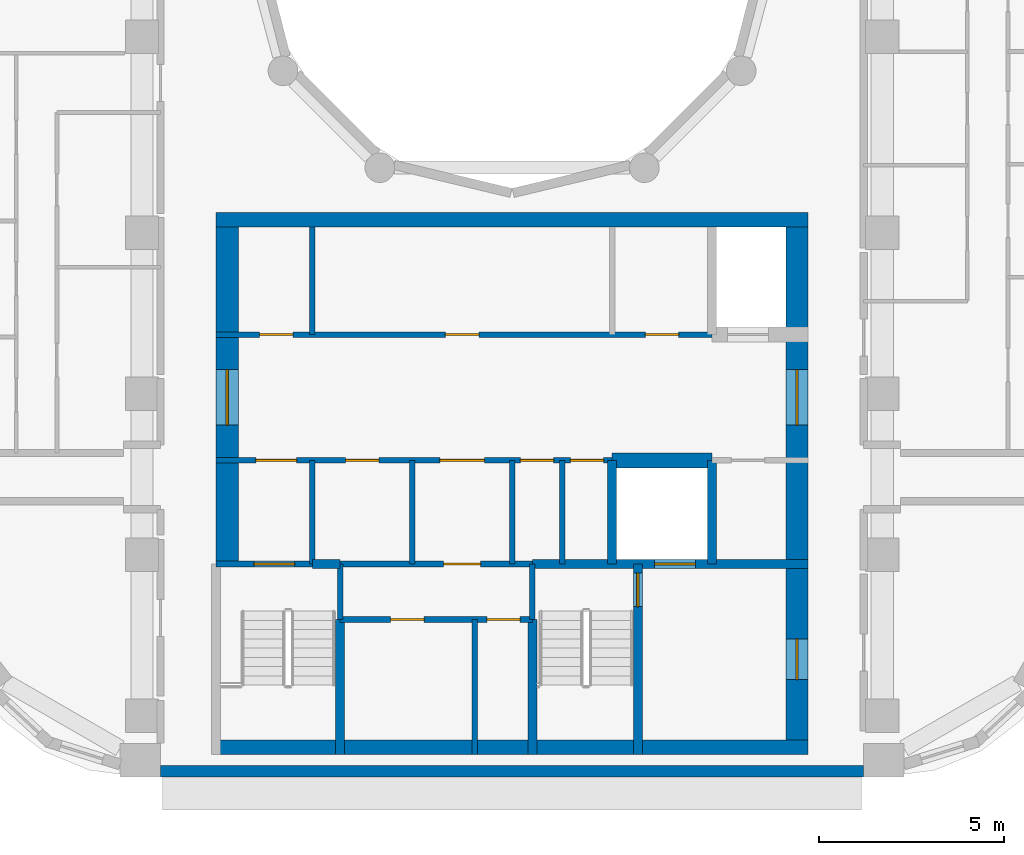
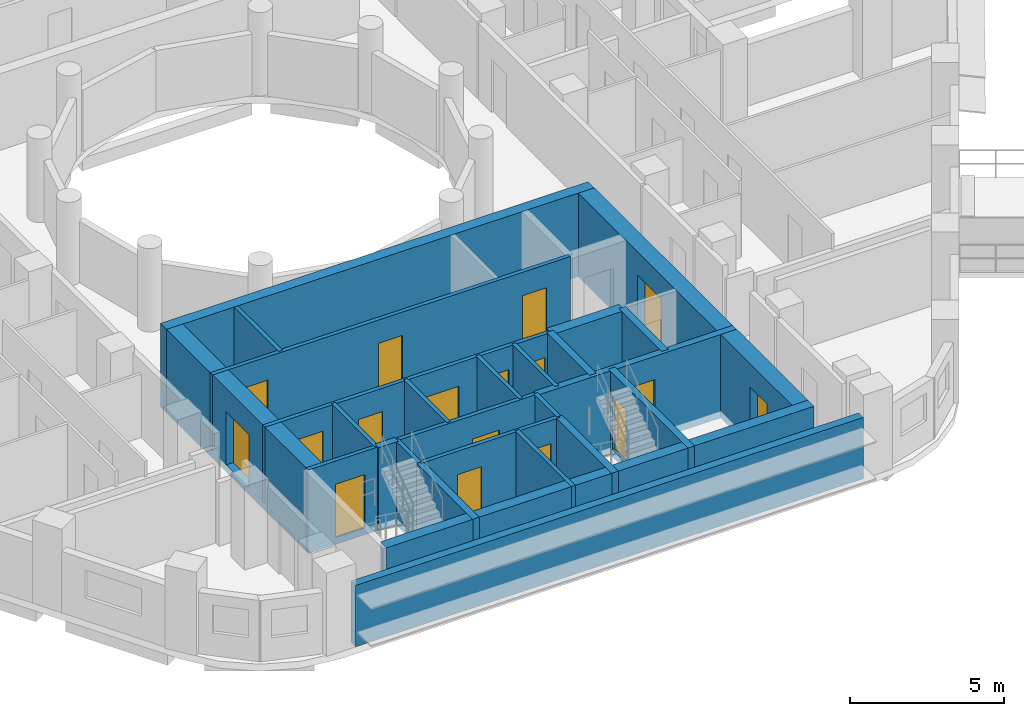
# One storey, part 3 of 12: 26 walls, 17 doors, 17 openings.
"""IFC4 building model written with IfcOpenShell, lengths in metres."""

from ifc_helpers import new_model, si_unit, direction, frame, frame_2d, origin, place, context, subcontext, project, spatial, rectangle, extrude, material, layer, layer_set, type_object, element, fill, save


model = new_model("IFC4")

# Units and contexts
model_context = context("Model", 3, precision=1e-05, world=origin(), true_north=direction((0.0, 1.0)))
body_context = subcontext(model_context, "Body", "Model", "MODEL_VIEW")
ifc_project = project(units=[si_unit("LENGTHUNIT", "METRE"), si_unit("AREAUNIT", "SQUARE_METRE"), si_unit("VOLUMEUNIT", "CUBIC_METRE"), si_unit("PLANEANGLEUNIT", "RADIAN"), si_unit("MASSUNIT", "GRAM", prefix="KILO")], contexts=[model_context])

# Site, building, storey
site_placement = place(None, origin())
site = spatial("IfcSite", under=ifc_project, at=site_placement, CompositionType="ELEMENT")
building_placement = place(site_placement, origin())
building = spatial("IfcBuilding", under=site, at=building_placement, Name="Nakaniwa Court", CompositionType="ELEMENT")
storey_placement = place(building_placement, frame((0.0, 0.0, 236.10009765625)))
storey = spatial("IfcBuildingStorey", under=building, at=storey_placement, Name="L61", CompositionType="ELEMENT", Elevation=236.10009765625)

# Walls
ifc_material_1 = material(Name="Charcoal ceramic cladding")
ifc_layer_1 = layer(ifc_material_1, 0.02, Name="Ceramic cladding")
ifc_material_2 = material(Name="Ventilated air cavity")
ifc_layer_2 = layer(ifc_material_2, 0.04, ventilated=True, Name="Ventilated cavity")
ifc_material_3 = material(Name="Mineral wool insulation")
ifc_layer_3 = layer(ifc_material_3, 0.1, Name="Insulation")
ifc_material_4 = material(Name="Cement bonded sheathing board")
ifc_layer_4 = layer(ifc_material_4, 0.012, Name="Sheathing")
ifc_material_5 = material(Name="Cold-formed galvanised stud frame with mineral wool infill")
ifc_layer_5 = layer(ifc_material_5, 0.1, Name="Stud frame")
ifc_material_6 = material(Name="Fire-rated gypsum plasterboard lining")
ifc_layer_6 = layer(ifc_material_6, 0.028, Name="Lining")
ifc_layer_set_1 = layer_set([ifc_layer_1, ifc_layer_2, ifc_layer_3, ifc_layer_4, ifc_layer_5, ifc_layer_6], Name="Charcoal ceramic faced external wall system")
wall_type_1 = type_object("IfcWallType", Name="Black ceramic faced external wall 300", PredefinedType="SOLIDWALL", material=ifc_layer_set_1)
wall_1_placement = place(storey_placement, frame((70.500732421875, 57.5, 0.0), z_axis=(0.0, 0.0, 1.0), x_axis=(1.0, 0.0, 0.0)))
element("IfcWall", 1, at=wall_1_placement, inside=storey, type_object=wall_type_1, Name="L61 external wall 26", PredefinedType="SOLIDWALL", context=body_context, shape_type="SweptSolid", body=[
    extrude(rectangle(XDim=18.99267578125, YDim=0.300048828125, at=frame_2d((9.496337890625, 0.0))), origin(), (0.0, 0.0, 1.0), 2.4248046875),
])
ifc_material_7 = material(Name="Blockwork partition", Category="masonry")
ifc_layer_7 = layer(ifc_material_7, 0.14990234375)
ifc_layer_set_2 = layer_set([ifc_layer_7], Name="Blockwork partition")
wall_type_2 = type_object("IfcWallType", Name="Blockwork partition 150", PredefinedType="PARTITIONING", material=ifc_layer_set_2)
wall_2_placement = place(storey_placement, frame((74.60009765625, 63.10009765625, 0.0), z_axis=(0.0, 0.0, 1.0), x_axis=(0.0, 1.0, 0.0)))
element("IfcWall", 2, at=wall_2_placement, inside=storey, type_object=wall_type_2, Name="Partition PW-029", PredefinedType="PARTITIONING", context=body_context, shape_type="SweptSolid", body=[
    extrude(rectangle(XDim=2.7998046875, YDim=0.14990234375, at=frame_2d((1.39990234375, 0.0))), origin(), (0.0, 0.0, 1.0), 3.02490234375),
])
wall_3_placement = place(storey_placement, frame((74.60009765625, 69.300048828125, 0.0), z_axis=(0.0, 0.0, 1.0), x_axis=(0.0, 1.0, 0.0)))
element("IfcWall", 3, at=wall_3_placement, inside=storey, type_object=wall_type_2, Name="Partition PW-030", PredefinedType="PARTITIONING", context=body_context, shape_type="SweptSolid", body=[
    extrude(rectangle(XDim=2.89990234375, YDim=0.14990234375, at=frame_2d((1.449951171875, 0.0))), origin(), (0.0, 0.0, 1.0), 3.02490234375),
])

# Wall, openings, doors
wall_4_placement = place(storey_placement, frame((72.0, 69.300048828125, 0.0), z_axis=(0.0, 0.0, 1.0), x_axis=(1.0, 0.0, 0.0)))
wall_4 = element("IfcWall", 4, at=wall_4_placement, inside=storey, type_object=wall_type_2, Name="Partition PW-031", PredefinedType="PARTITIONING", context=body_context, shape_type="SweptSolid", body=[
    extrude(rectangle(XDim=13.39990234375, YDim=0.14990234375, at=frame_2d((6.699951171875, 0.0))), origin(), (0.0, 0.0, 1.0), 3.02490234375),
])
opening_1_placement = place(wall_4_placement, frame((1.175048828125, 0.0, 0.0)))
opening_1 = element("IfcOpeningElement", 5, at=opening_1_placement, cuts=wall_4, Name="Opening D-05-10", PredefinedType="OPENING", context=body_context, shape_type="SweptSolid", body=[
    extrude(rectangle(XDim=0.89990234375, YDim=2.10009765625, at=frame_2d((0.449951171875, 1.050048828125))), frame((0.0, 0.0849609375, 0.0), z_axis=(0.0, -1.0, 0.0), x_axis=(1.0, 0.0, 0.0)), (0.0, 0.0, 1.0), 0.169921875),
])
opening_2_placement = place(wall_4_placement, frame((6.199951171875, 0.0, 0.0)))
opening_2 = element("IfcOpeningElement", 6, at=opening_2_placement, cuts=wall_4, Name="Opening D-05-11", PredefinedType="OPENING", context=body_context, shape_type="SweptSolid", body=[
    extrude(rectangle(XDim=0.89990234375, YDim=2.10009765625, at=frame_2d((0.449951171875, 1.050048828125))), frame((0.0, 0.0849609375, 0.0), z_axis=(0.0, -1.0, 0.0), x_axis=(1.0, 0.0, 0.0)), (0.0, 0.0, 1.0), 0.169921875),
])
opening_3_placement = place(wall_4_placement, frame((11.60009765625, 0.0, 0.0)))
opening_3 = element("IfcOpeningElement", 7, at=opening_3_placement, cuts=wall_4, Name="Opening D-05-12", PredefinedType="OPENING", context=body_context, shape_type="SweptSolid", body=[
    extrude(rectangle(XDim=0.89990234375, YDim=2.10009765625, at=frame_2d((0.449951171875, 1.050048828125))), frame((0.0, 0.0849609375, 0.0), z_axis=(0.0, -1.0, 0.0), x_axis=(1.0, 0.0, 0.0)), (0.0, 0.0, 1.0), 0.169921875),
])
ifc_material_8 = material(Name="Fire rated steel door set", Category="steel")
door_type_1 = type_object("IfcDoorType", Name="Service room door 900", OperationType="NOTDEFINED", PredefinedType="DOOR", material=ifc_material_8)
door_1_placement = place(opening_1_placement, origin())
door_1 = element("IfcDoor", 8, at=door_1_placement, inside=storey, type_object=door_type_1, Name="Door D-05-10 L61-015", OperationType="SINGLE_SWING_RIGHT", OverallHeight=2.10009765625, OverallWidth=0.89990234375, PredefinedType="DOOR", context=body_context, shape_type="SweptSolid", body=[
    extrude(rectangle(XDim=0.89990234375, YDim=2.10009765625, at=frame_2d((0.449951171875, 1.050048828125))), frame((0.0, 0.02490234375, 0.0), z_axis=(0.0, -1.0, 0.0), x_axis=(1.0, 0.0, 0.0)), (0.0, 0.0, 1.0), 0.050048828125),
])
fill(opening_1, door_1)
door_2_placement = place(opening_2_placement, origin())
door_2 = element("IfcDoor", 9, at=door_2_placement, inside=storey, type_object=door_type_1, Name="Door D-05-11 L61-016", OperationType="SINGLE_SWING_LEFT", OverallHeight=2.10009765625, OverallWidth=0.89990234375, PredefinedType="DOOR", context=body_context, shape_type="SweptSolid", body=[
    extrude(rectangle(XDim=0.89990234375, YDim=2.10009765625, at=frame_2d((0.449951171875, 1.050048828125))), frame((0.0, 0.02490234375, 0.0), z_axis=(0.0, -1.0, 0.0), x_axis=(1.0, 0.0, 0.0)), (0.0, 0.0, 1.0), 0.050048828125),
])
fill(opening_2, door_2)
door_3_placement = place(opening_3_placement, origin())
door_3 = element("IfcDoor", 10, at=door_3_placement, inside=storey, type_object=door_type_1, Name="Door D-05-12 L61-017", OperationType="SINGLE_SWING_RIGHT", OverallHeight=2.10009765625, OverallWidth=0.89990234375, PredefinedType="DOOR", context=body_context, shape_type="SweptSolid", body=[
    extrude(rectangle(XDim=0.89990234375, YDim=2.10009765625, at=frame_2d((0.449951171875, 1.050048828125))), frame((0.0, 0.02490234375, 0.0), z_axis=(0.0, -1.0, 0.0), x_axis=(1.0, 0.0, 0.0)), (0.0, 0.0, 1.0), 0.050048828125),
])
fill(opening_3, door_3)

wall_5_placement = place(storey_placement, frame((82.702880859375, 65.89990234375, 0.0), z_axis=(0.0, 0.0, 1.0), x_axis=(-1.0, 0.0, 0.0)))
wall_5 = element("IfcWall", 11, at=wall_5_placement, inside=storey, type_object=wall_type_2, Name="Partition PW-038", PredefinedType="PARTITIONING", context=body_context, shape_type="SweptSolid", body=[
    extrude(rectangle(XDim=10.702880859375, YDim=0.14990234375, at=frame_2d((5.3515625, 0.0))), origin(), (0.0, 0.0, 1.0), 3.02490234375),
])
opening_4_placement = place(wall_5_placement, frame((8.528076171875, 0.0, 0.0)))
opening_4 = element("IfcOpeningElement", 12, at=opening_4_placement, cuts=wall_5, Name="Opening D-08-02", PredefinedType="OPENING", context=body_context, shape_type="SweptSolid", body=[
    extrude(rectangle(XDim=1.10009765625, YDim=2.10009765625, at=frame_2d((0.550048828125, 1.050048828125))), frame((0.0, 0.0849609375, 0.0), z_axis=(0.0, -1.0, 0.0), x_axis=(1.0, 0.0, 0.0)), (0.0, 0.0, 1.0), 0.169921875),
])
opening_5_placement = place(wall_5_placement, frame((6.302978515625, 0.0, 0.0)))
opening_5 = element("IfcOpeningElement", 13, at=opening_5_placement, cuts=wall_5, Name="Opening D-05-13", PredefinedType="OPENING", context=body_context, shape_type="SweptSolid", body=[
    extrude(rectangle(XDim=0.89990234375, YDim=2.10009765625, at=frame_2d((0.449951171875, 1.050048828125))), frame((0.0, 0.0849609375, 0.0), z_axis=(0.0, -1.0, 0.0), x_axis=(1.0, 0.0, 0.0)), (0.0, 0.0, 1.0), 0.169921875),
])
opening_6_placement = place(wall_5_placement, frame((3.452880859375, 0.0, 0.0)))
opening_6 = element("IfcOpeningElement", 14, at=opening_6_placement, cuts=wall_5, Name="Opening D-06-02", PredefinedType="OPENING", context=body_context, shape_type="SweptSolid", body=[
    extrude(rectangle(XDim=1.199951171875, YDim=2.10009765625, at=frame_2d((0.60009765625, 1.050048828125))), frame((0.0, 0.0849609375, 0.0), z_axis=(0.0, -1.0, 0.0), x_axis=(1.0, 0.0, 0.0)), (0.0, 0.0, 1.0), 0.169921875),
])
opening_7_placement = place(wall_5_placement, frame((1.577880859375, 0.0, 0.0)))
opening_7 = element("IfcOpeningElement", 15, at=opening_7_placement, cuts=wall_5, Name="Opening D-05-14", PredefinedType="OPENING", context=body_context, shape_type="SweptSolid", body=[
    extrude(rectangle(XDim=0.89990234375, YDim=2.10009765625, at=frame_2d((0.449951171875, 1.050048828125))), frame((0.0, 0.0849609375, 0.0), z_axis=(0.0, -1.0, 0.0), x_axis=(1.0, 0.0, 0.0)), (0.0, 0.0, 1.0), 0.169921875),
])
opening_8_placement = place(wall_5_placement, frame((0.22802734375, 0.0, 0.0)))
opening_8 = element("IfcOpeningElement", 16, at=opening_8_placement, cuts=wall_5, Name="Opening D-05-15", PredefinedType="OPENING", context=body_context, shape_type="SweptSolid", body=[
    extrude(rectangle(XDim=0.89990234375, YDim=2.10009765625, at=frame_2d((0.449951171875, 1.050048828125))), frame((0.0, 0.0849609375, 0.0), z_axis=(0.0, -1.0, 0.0), x_axis=(1.0, 0.0, 0.0)), (0.0, 0.0, 1.0), 0.169921875),
])
ifc_material_9 = material(Name="Fire rated steel double door set", Category="steel")
door_type_2 = type_object("IfcDoorType", Name="Service passage double door 1200", OperationType="NOTDEFINED", PredefinedType="DOOR", material=ifc_material_9)
door_4_placement = place(opening_6_placement, origin())
door_4 = element("IfcDoor", 17, at=door_4_placement, inside=storey, type_object=door_type_2, Name="Door D-06-02 L61-020", OperationType="DOUBLE_DOOR_SINGLE_SWING", OverallHeight=2.10009765625, OverallWidth=1.199951171875, PredefinedType="DOOR", context=body_context, shape_type="SweptSolid", body=[
    extrude(rectangle(XDim=1.199951171875, YDim=2.10009765625, at=frame_2d((0.60009765625, 1.050048828125))), frame((0.0, 0.02490234375, 0.0), z_axis=(0.0, -1.0, 0.0), x_axis=(1.0, 0.0, 0.0)), (0.0, 0.0, 1.0), 0.050048828125),
])
fill(opening_6, door_4)
door_5_placement = place(opening_5_placement, origin())
door_5 = element("IfcDoor", 18, at=door_5_placement, inside=storey, type_object=door_type_1, Name="Door D-05-13 L61-019", OperationType="SINGLE_SWING_RIGHT", OverallHeight=2.10009765625, OverallWidth=0.89990234375, PredefinedType="DOOR", context=body_context, shape_type="SweptSolid", body=[
    extrude(rectangle(XDim=0.89990234375, YDim=2.10009765625, at=frame_2d((0.449951171875, 1.050048828125))), frame((0.0, 0.02490234375, 0.0), z_axis=(0.0, -1.0, 0.0), x_axis=(1.0, 0.0, 0.0)), (0.0, 0.0, 1.0), 0.050048828125),
])
fill(opening_5, door_5)
door_6_placement = place(opening_7_placement, origin())
door_6 = element("IfcDoor", 19, at=door_6_placement, inside=storey, type_object=door_type_1, Name="Door D-05-14 L61-021", OperationType="SINGLE_SWING_RIGHT", OverallHeight=2.10009765625, OverallWidth=0.89990234375, PredefinedType="DOOR", context=body_context, shape_type="SweptSolid", body=[
    extrude(rectangle(XDim=0.89990234375, YDim=2.10009765625, at=frame_2d((0.449951171875, 1.050048828125))), frame((0.0, 0.02490234375, 0.0), z_axis=(0.0, -1.0, 0.0), x_axis=(1.0, 0.0, 0.0)), (0.0, 0.0, 1.0), 0.050048828125),
])
fill(opening_7, door_6)
door_7_placement = place(opening_8_placement, origin())
door_7 = element("IfcDoor", 20, at=door_7_placement, inside=storey, type_object=door_type_1, Name="Door D-05-15 L61-022", OperationType="SINGLE_SWING_LEFT", OverallHeight=2.10009765625, OverallWidth=0.89990234375, PredefinedType="DOOR", context=body_context, shape_type="SweptSolid", body=[
    extrude(rectangle(XDim=0.89990234375, YDim=2.10009765625, at=frame_2d((0.449951171875, 1.050048828125))), frame((0.0, 0.02490234375, 0.0), z_axis=(0.0, -1.0, 0.0), x_axis=(1.0, 0.0, 0.0)), (0.0, 0.0, 1.0), 0.050048828125),
])
fill(opening_8, door_7)
door_type_3 = type_object("IfcDoorType", Name="Stair lobby door 1100", OperationType="NOTDEFINED", PredefinedType="DOOR", material=ifc_material_8)
door_8_placement = place(opening_4_placement, origin())
door_8 = element("IfcDoor", 21, at=door_8_placement, inside=storey, type_object=door_type_3, Name="Door D-08-02 L61-018", OperationType="SINGLE_SWING_LEFT", OverallHeight=2.10009765625, OverallWidth=1.10009765625, PredefinedType="DOOR", context=body_context, shape_type="SweptSolid", body=[
    extrude(rectangle(XDim=1.10009765625, YDim=2.10009765625, at=frame_2d((0.550048828125, 1.050048828125))), frame((0.0, 0.02490234375, 0.0), z_axis=(0.0, -1.0, 0.0), x_axis=(1.0, 0.0, 0.0)), (0.0, 0.0, 1.0), 0.050048828125),
])
fill(opening_4, door_8)

# Wall
wall_6_placement = place(storey_placement, frame((77.300048828125, 63.10009765625, 0.0), z_axis=(0.0, 0.0, 1.0), x_axis=(0.0, 1.0, 0.0)))
element("IfcWall", 22, at=wall_6_placement, inside=storey, type_object=wall_type_2, Name="Partition PW-042", PredefinedType="PARTITIONING", context=body_context, shape_type="SweptSolid", body=[
    extrude(rectangle(XDim=2.7998046875, YDim=0.14990234375, at=frame_2d((1.39990234375, 0.0))), origin(), (0.0, 0.0, 1.0), 3.02490234375),
])

# Wall, opening, door
wall_7_placement = place(storey_placement, frame((80.552978515625, 63.10009765625, 0.0), z_axis=(0.0, 0.0, 1.0), x_axis=(-1.0, 0.0, 0.0)))
wall_7 = element("IfcWall", 23, at=wall_7_placement, inside=storey, type_object=wall_type_2, Name="Partition PW-045", PredefinedType="PARTITIONING", context=body_context, shape_type="SweptSolid", body=[
    extrude(rectangle(XDim=5.2060546875, YDim=0.14990234375, at=frame_2d((2.60302734375, 0.0))), origin(), (0.0, 0.0, 1.0), 3.02490234375),
])
opening_9_placement = place(wall_7_placement, frame((1.403076171875, 0.0, 0.0)))
opening_9 = element("IfcOpeningElement", 24, at=opening_9_placement, cuts=wall_7, Name="Opening D-23-02", PredefinedType="OPENING", context=body_context, shape_type="SweptSolid", body=[
    extrude(rectangle(XDim=1.0, YDim=2.10009765625, at=frame_2d((0.5, 1.050048828125))), frame((0.0, 0.0849609375, 0.0), z_axis=(0.0, -1.0, 0.0), x_axis=(1.0, 0.0, 0.0)), (0.0, 0.0, 1.0), 0.169921875),
])
door_type_4 = type_object("IfcDoorType", Name="Service room door 1000", OperationType="NOTDEFINED", PredefinedType="DOOR", material=ifc_material_8)
door_9_placement = place(opening_9_placement, origin())
door_9 = element("IfcDoor", 25, at=door_9_placement, inside=storey, type_object=door_type_4, Name="Door D-23-02 L61-024", OperationType="SINGLE_SWING_LEFT", OverallHeight=2.10009765625, OverallWidth=1.0, PredefinedType="DOOR", context=body_context, shape_type="SweptSolid", body=[
    extrude(rectangle(XDim=1.0, YDim=2.10009765625, at=frame_2d((0.5, 1.050048828125))), frame((0.0, 0.02490234375, 0.0), z_axis=(0.0, -1.0, 0.0), x_axis=(1.0, 0.0, 0.0)), (0.0, 0.0, 1.0), 0.050048828125),
])
fill(opening_9, door_9)

# Walls
for number, where, z_axis, x_axis, name in (
    (26, (80.0, 63.10009765625, 0.0), (0.0, 0.0, 1.0), (0.0, 1.0, 0.0), "Partition PW-046"),
    (27, (81.35009765625, 63.10009765625, 0.0), (0.0, 0.0, 1.0), (0.0, 1.0, 0.0), "Partition PW-047"),
):
    element("IfcWall", number, at=place(storey_placement, frame(where, z_axis=z_axis, x_axis=x_axis)), inside=storey, type_object=wall_type_2, Name=name, PredefinedType="PARTITIONING", context=body_context, shape_type="SweptSolid", body=[
        extrude(rectangle(XDim=2.7998046875, YDim=0.14990234375, at=frame_2d((1.39990234375, 0.0))), origin(), (0.0, 0.0, 1.0), 3.02490234375),
    ])

# Wall, openings, doors
wall_8_placement = place(storey_placement, frame((80.550048828125, 61.60009765625, 0.0), z_axis=(0.0, 0.0, 1.0), x_axis=(-1.0, 0.0, 0.0)))
wall_8 = element("IfcWall", 28, at=wall_8_placement, inside=storey, type_object=wall_type_2, Name="Partition PW-055", PredefinedType="PARTITIONING", context=body_context, shape_type="SweptSolid", body=[
    extrude(rectangle(XDim=5.199951171875, YDim=0.14990234375, at=frame_2d((2.60009765625, 0.0))), origin(), (0.0, 0.0, 1.0), 3.02490234375),
])
opening_10_placement = place(wall_8_placement, frame((2.929931640625, 0.0, 0.0)))
opening_10 = element("IfcOpeningElement", 29, at=opening_10_placement, cuts=wall_8, Name="Opening D-05-17", PredefinedType="OPENING", context=body_context, shape_type="SweptSolid", body=[
    extrude(rectangle(XDim=0.89990234375, YDim=2.10009765625, at=frame_2d((0.449951171875, 1.050048828125))), frame((0.0, 0.0849609375, 0.0), z_axis=(0.0, -1.0, 0.0), x_axis=(1.0, 0.0, 0.0)), (0.0, 0.0, 1.0), 0.169921875),
])
opening_11_placement = place(wall_8_placement, frame((0.330078125, 0.0, 0.0)))
opening_11 = element("IfcOpeningElement", 30, at=opening_11_placement, cuts=wall_8, Name="Opening D-05-18", PredefinedType="OPENING", context=body_context, shape_type="SweptSolid", body=[
    extrude(rectangle(XDim=0.89990234375, YDim=2.10009765625, at=frame_2d((0.449951171875, 1.050048828125))), frame((0.0, 0.0849609375, 0.0), z_axis=(0.0, -1.0, 0.0), x_axis=(1.0, 0.0, 0.0)), (0.0, 0.0, 1.0), 0.169921875),
])
door_10_placement = place(opening_10_placement, origin())
door_10 = element("IfcDoor", 31, at=door_10_placement, inside=storey, type_object=door_type_1, Name="Door D-05-17 L61-025", OperationType="SINGLE_SWING_RIGHT", OverallHeight=2.10009765625, OverallWidth=0.89990234375, PredefinedType="DOOR", context=body_context, shape_type="SweptSolid", body=[
    extrude(rectangle(XDim=0.89990234375, YDim=2.10009765625, at=frame_2d((0.449951171875, 1.050048828125))), frame((0.0, 0.02490234375, 0.0), z_axis=(0.0, -1.0, 0.0), x_axis=(1.0, 0.0, 0.0)), (0.0, 0.0, 1.0), 0.050048828125),
])
fill(opening_10, door_10)
door_11_placement = place(opening_11_placement, origin())
door_11 = element("IfcDoor", 32, at=door_11_placement, inside=storey, type_object=door_type_1, Name="Door D-05-18 L61-026", OperationType="SINGLE_SWING_LEFT", OverallHeight=2.10009765625, OverallWidth=0.89990234375, PredefinedType="DOOR", context=body_context, shape_type="SweptSolid", body=[
    extrude(rectangle(XDim=0.89990234375, YDim=2.10009765625, at=frame_2d((0.449951171875, 1.050048828125))), frame((0.0, 0.02490234375, 0.0), z_axis=(0.0, -1.0, 0.0), x_axis=(1.0, 0.0, 0.0)), (0.0, 0.0, 1.0), 0.050048828125),
])
fill(opening_11, door_11)

# Wall
wall_9_placement = place(storey_placement, frame((78.989990234375, 57.949951171875, 0.0), z_axis=(0.0, 0.0, 1.0), x_axis=(0.0, 1.0, 0.0)))
element("IfcWall", 33, at=wall_9_placement, inside=storey, type_object=wall_type_2, Name="Partition PW-056", PredefinedType="PARTITIONING", context=body_context, shape_type="SweptSolid", body=[
    extrude(rectangle(XDim=3.650146484375, YDim=0.14990234375, at=frame_2d((1.8251953125, 0.0))), origin(), (0.0, 0.0, 1.0), 3.02490234375),
])

# Wall, opening, door
ifc_material_10 = material(Name="Concrete C80/100", Category="concrete")
ifc_layer_8 = layer(ifc_material_10, 0.60009765625)
ifc_layer_set_3 = layer_set([ifc_layer_8], Name="Concrete C80/100")
wall_type_3 = type_object("IfcWallType", Name="Concrete core side wall 600 C80", PredefinedType="SHEAR", material=ifc_layer_set_3)
wall_10_placement = place(storey_placement, frame((72.300048828125, 63.10009765625, -0.275146484375), z_axis=(0.0, 0.0, 1.0), x_axis=(0.0, 1.0, 0.0)))
wall_10 = element("IfcWall", 34, at=wall_10_placement, inside=storey, type_object=wall_type_3, Name="Core wall SW-32", PredefinedType="SHEAR", context=body_context, shape_type="SweptSolid", body=[
    extrude(rectangle(XDim=9.099853515625, YDim=0.60009765625, at=frame_2d((4.5498046875, 0.0))), origin(), (0.0, 0.0, 1.0), 3.300048828125),
])
opening_12_placement = place(wall_10_placement, frame((3.75, 0.0, 0.27490234375)))
opening_12 = element("IfcOpeningElement", 35, at=opening_12_placement, cuts=wall_10, Name="Opening D-07-04", PredefinedType="OPENING", context=body_context, shape_type="SweptSolid", body=[
    extrude(rectangle(XDim=1.5, YDim=2.10009765625, at=frame_2d((0.75, 1.050048828125))), frame((0.0, 0.31005859375, 0.0), z_axis=(0.0, -1.0, 0.0), x_axis=(1.0, 0.0, 0.0)), (0.0, 0.0, 1.0), 0.6201171875),
])
ifc_material_11 = material(Name="Glazed fire rated steel double door set", Category="steel")
door_type_5 = type_object("IfcDoorType", Name="Lobby double door 1500", OperationType="NOTDEFINED", PredefinedType="DOOR", material=ifc_material_11)
door_12_placement = place(opening_12_placement, origin())
door_12 = element("IfcDoor", 36, at=door_12_placement, inside=storey, type_object=door_type_5, Name="Door D-07-04 L61-066", OperationType="DOUBLE_DOOR_SINGLE_SWING", OverallHeight=2.10009765625, OverallWidth=1.5, PredefinedType="DOOR", context=body_context, shape_type="SweptSolid", body=[
    extrude(rectangle(XDim=1.5, YDim=2.10009765625, at=frame_2d((0.75, 1.050048828125))), frame((0.0, 0.02490234375, 0.0), z_axis=(0.0, -1.0, 0.0), x_axis=(1.0, 0.0, 0.0)), (0.0, 0.0, 1.0), 0.050048828125),
])
fill(opening_12, door_12)

# Wall, openings, doors
wall_11_placement = place(storey_placement, frame((87.699951171875, 72.199951171875, -0.275146484375), z_axis=(0.0, 0.0, 1.0), x_axis=(0.0, -1.0, 0.0)))
wall_11 = element("IfcWall", 37, at=wall_11_placement, inside=storey, type_object=wall_type_3, Name="Core wall SW-36", PredefinedType="SHEAR", context=body_context, shape_type="SweptSolid", body=[
    extrude(rectangle(XDim=14.25, YDim=0.60009765625, at=frame_2d((7.125, 0.0))), origin(), (0.0, 0.0, 1.0), 3.300048828125),
])
opening_13_placement = place(wall_11_placement, frame((3.85009765625, 0.0, 0.27490234375)))
opening_13 = element("IfcOpeningElement", 38, at=opening_13_placement, cuts=wall_11, Name="Opening D-07-03", PredefinedType="OPENING", context=body_context, shape_type="SweptSolid", body=[
    extrude(rectangle(XDim=1.5, YDim=2.10009765625, at=frame_2d((0.75, 1.050048828125))), frame((0.0, 0.31005859375, 0.0), z_axis=(0.0, -1.0, 0.0), x_axis=(1.0, 0.0, 0.0)), (0.0, 0.0, 1.0), 0.6201171875),
])
opening_14_placement = place(wall_11_placement, frame((11.125, 0.0, 0.27490234375)))
opening_14 = element("IfcOpeningElement", 39, at=opening_14_placement, cuts=wall_11, Name="Opening D-10-02", PredefinedType="OPENING", context=body_context, shape_type="SweptSolid", body=[
    extrude(rectangle(XDim=1.10009765625, YDim=2.10009765625, at=frame_2d((0.550048828125, 1.050048828125))), frame((0.0, 0.31005859375, 0.0), z_axis=(0.0, -1.0, 0.0), x_axis=(1.0, 0.0, 0.0)), (0.0, 0.0, 1.0), 0.6201171875),
])
door_type_6 = type_object("IfcDoorType", Name="Firefighting lobby door 1100", OperationType="NOTDEFINED", PredefinedType="DOOR", material=ifc_material_8)
door_13_placement = place(opening_14_placement, origin())
door_13 = element("IfcDoor", 40, at=door_13_placement, inside=storey, type_object=door_type_6, Name="Door D-10-02 L61-067", OperationType="SINGLE_SWING_RIGHT", OverallHeight=2.10009765625, OverallWidth=1.10009765625, PredefinedType="DOOR", context=body_context, shape_type="SweptSolid", body=[
    extrude(rectangle(XDim=1.10009765625, YDim=2.10009765625, at=frame_2d((0.550048828125, 1.050048828125))), frame((0.0, 0.02490234375, 0.0), z_axis=(0.0, -1.0, 0.0), x_axis=(1.0, 0.0, 0.0)), (0.0, 0.0, 1.0), 0.050048828125),
])
fill(opening_14, door_13)
door_14_placement = place(opening_13_placement, origin())
door_14 = element("IfcDoor", 41, at=door_14_placement, inside=storey, type_object=door_type_5, Name="Door D-07-03 L61-065", OperationType="DOUBLE_DOOR_SINGLE_SWING", OverallHeight=2.10009765625, OverallWidth=1.5, PredefinedType="DOOR", context=body_context, shape_type="SweptSolid", body=[
    extrude(rectangle(XDim=1.5, YDim=2.10009765625, at=frame_2d((0.75, 1.050048828125))), frame((0.0, 0.02490234375, 0.0), z_axis=(0.0, -1.0, 0.0), x_axis=(1.0, 0.0, 0.0)), (0.0, 0.0, 1.0), 0.050048828125),
])
fill(opening_13, door_14)

# Wall
ifc_layer_9 = layer(ifc_material_10, 0.39990234375)
ifc_layer_set_4 = layer_set([ifc_layer_9], Name="Concrete C80/100")
wall_type_4 = type_object("IfcWallType", Name="Concrete core spine wall 400 C80", PredefinedType="SHEAR", material=ifc_layer_set_4)
wall_12_placement = place(storey_placement, frame((82.697021484375, 65.89990234375, -0.275146484375), z_axis=(0.0, 0.0, 1.0), x_axis=(1.0, 0.0, 0.0)))
element("IfcWall", 42, at=wall_12_placement, inside=storey, type_object=wall_type_4, Name="Core wall SW-40", PredefinedType="SHEAR", context=body_context, shape_type="SweptSolid", body=[
    extrude(rectangle(XDim=2.7060546875, YDim=0.39990234375, at=frame_2d((1.35302734375, 0.0))), origin(), (0.0, 0.0, 1.0), 3.300048828125),
])

# Wall, opening, door
ifc_layer_10 = layer(ifc_material_10, 0.14990234375)
ifc_layer_set_5 = layer_set([ifc_layer_10], Name="Concrete C80/100")
wall_type_5 = type_object("IfcWallType", Name="Concrete core wall 150 C80", PredefinedType="SHEAR", material=ifc_layer_set_5)
wall_13_placement = place(storey_placement, frame((72.0, 63.10009765625, -0.275146484375), z_axis=(0.0, 0.0, 1.0), x_axis=(1.0, 0.0, 0.0)))
wall_13 = element("IfcWall", 43, at=wall_13_placement, inside=storey, type_object=wall_type_5, Name="Core wall SW-41", PredefinedType="SHEAR", context=body_context, shape_type="SweptSolid", body=[
    extrude(rectangle(XDim=2.60009765625, YDim=0.14990234375, at=frame_2d((1.300048828125, 0.0))), origin(), (0.0, 0.0, 1.0), 3.300048828125),
])
opening_15_placement = place(wall_13_placement, frame((1.02001953125, 0.0, 0.27490234375)))
opening_15 = element("IfcOpeningElement", 44, at=opening_15_placement, cuts=wall_13, Name="Opening D-09-02", PredefinedType="OPENING", context=body_context, shape_type="SweptSolid", body=[
    extrude(rectangle(XDim=1.10009765625, YDim=2.10009765625, at=frame_2d((0.550048828125, 1.050048828125))), frame((0.0, 0.0849609375, 0.0), z_axis=(0.0, -1.0, 0.0), x_axis=(1.0, 0.0, 0.0)), (0.0, 0.0, 1.0), 0.169921875),
])
door_type_7 = type_object("IfcDoorType", Name="Stair door 1100", OperationType="NOTDEFINED", PredefinedType="DOOR", material=ifc_material_8)
door_15_placement = place(opening_15_placement, origin())
door_15 = element("IfcDoor", 45, at=door_15_placement, inside=storey, type_object=door_type_7, Name="Door D-09-02 L61-027", OperationType="SINGLE_SWING_LEFT", OverallHeight=2.10009765625, OverallWidth=1.10009765625, PredefinedType="DOOR", context=body_context, shape_type="SweptSolid", body=[
    extrude(rectangle(XDim=1.10009765625, YDim=2.10009765625, at=frame_2d((0.550048828125, 1.050048828125))), frame((0.0, 0.02490234375, 0.0), z_axis=(0.0, -1.0, 0.0), x_axis=(1.0, 0.0, 0.0)), (0.0, 0.0, 1.0), 0.050048828125),
])
fill(opening_15, door_15)

# Walls
for number, where, z_axis, x_axis, name in (
    (46, (75.35009765625, 61.596923828125, -0.275146484375), (0.0, 0.0, 1.0), (0.0, 1.0, 0.0), "Core wall SW-49"),
    (47, (80.550048828125, 61.596923828125, -0.275146484375), (0.0, 0.0, 1.0), (0.0, 1.0, 0.0), "Core wall SW-53"),
):
    element("IfcWall", number, at=place(storey_placement, frame(where, z_axis=z_axis, x_axis=x_axis)), inside=storey, type_object=wall_type_5, Name=name, PredefinedType="SHEAR", context=body_context, shape_type="SweptSolid", body=[
        extrude(rectangle(XDim=1.503173828125, YDim=0.14990234375, at=frame_2d((0.75146484375, 0.0))), origin(), (0.0, 0.0, 1.0), 3.300048828125),
    ])
ifc_layer_11 = layer(ifc_material_10, 0.39990234375)
ifc_layer_set_6 = layer_set([ifc_layer_11], Name="Concrete C80/100")
wall_type_6 = type_object("IfcWallType", Name="Concrete core wall 400 C80", PredefinedType="SHEAR", material=ifc_layer_set_6)
wall_14_placement = place(storey_placement, frame((72.00390625, 58.14990234375, -0.275146484375), z_axis=(0.0, 0.0, 1.0), x_axis=(1.0, 0.0, 0.0)))
element("IfcWall", 48, at=wall_14_placement, inside=storey, type_object=wall_type_6, Name="Core wall SW-123", PredefinedType="SHEAR", context=body_context, shape_type="SweptSolid", body=[
    extrude(rectangle(XDim=15.9921875, YDim=0.39990234375, at=frame_2d((7.99609375, 0.0))), origin(), (0.0, 0.0, 1.0), 3.300048828125),
])
ifc_layer_12 = layer(ifc_material_10, 0.39990234375)
ifc_layer_set_7 = layer_set([ifc_layer_12], Name="Concrete C80/100")
wall_type_7 = type_object("IfcWallType", Name="Concrete core well wall 400 C80", PredefinedType="SHEAR", material=ifc_layer_set_7)
wall_15_placement = place(storey_placement, frame((72.00390625, 72.39990234375, -0.275146484375), z_axis=(0.0, 0.0, 1.0), x_axis=(1.0, 0.0, 0.0)))
element("IfcWall", 49, at=wall_15_placement, inside=storey, type_object=wall_type_7, Name="Core wall SW-122", PredefinedType="SHEAR", context=body_context, shape_type="SweptSolid", body=[
    extrude(rectangle(XDim=15.9921875, YDim=0.39990234375, at=frame_2d((7.99609375, 0.0))), origin(), (0.0, 0.0, 1.0), 3.300048828125),
])
ifc_layer_13 = layer(ifc_material_10, 0.25)
ifc_layer_set_8 = layer_set([ifc_layer_13], Name="Concrete C80/100")
wall_type_8 = type_object("IfcWallType", Name="Concrete shaft wall 250 C80", PredefinedType="SHEAR", material=ifc_layer_set_8)
wall_16_placement = place(storey_placement, frame((85.39990234375, 63.10009765625, -0.275146484375), z_axis=(0.0, 0.0, 1.0), x_axis=(0.0, 1.0, 0.0)))
element("IfcWall", 50, at=wall_16_placement, inside=storey, type_object=wall_type_8, Name="Core wall SW-33", PredefinedType="SHEAR", context=body_context, shape_type="SweptSolid", body=[
    extrude(rectangle(XDim=2.7998046875, YDim=0.25, at=frame_2d((1.39990234375, 0.0))), origin(), (0.0, 0.0, 1.0), 3.300048828125),
])
wall_17_placement = place(storey_placement, frame((74.60009765625, 63.10009765625, -0.275146484375), z_axis=(0.0, 0.0, 1.0), x_axis=(1.0, 0.0, 0.0)))
element("IfcWall", 51, at=wall_17_placement, inside=storey, type_object=wall_type_8, Name="Core wall SW-43", PredefinedType="SHEAR", context=body_context, shape_type="SweptSolid", body=[
    extrude(rectangle(XDim=0.7529296875, YDim=0.25, at=frame_2d((0.37646484375, 0.0))), origin(), (0.0, 0.0, 1.0), 3.300048828125),
])

# Wall, opening, door
wall_18_placement = place(storey_placement, frame((80.547119140625, 63.10009765625, -0.275146484375), z_axis=(0.0, 0.0, 1.0), x_axis=(1.0, 0.0, 0.0)))
wall_18 = element("IfcWall", 52, at=wall_18_placement, inside=storey, type_object=wall_type_8, Name="Core wall SW-44", PredefinedType="SHEAR", context=body_context, shape_type="SweptSolid", body=[
    extrude(rectangle(XDim=7.452880859375, YDim=0.25, at=frame_2d((3.7265625, 0.0))), origin(), (0.0, 0.0, 1.0), 3.300048828125),
])
opening_16_placement = place(wall_18_placement, frame((3.302001953125, 0.0, 0.27490234375)))
opening_16 = element("IfcOpeningElement", 53, at=opening_16_placement, cuts=wall_18, Name="Opening LD04", PredefinedType="OPENING", context=body_context, shape_type="SweptSolid", body=[
    extrude(rectangle(XDim=1.10009765625, YDim=2.10009765625, at=frame_2d((0.550048828125, 1.050048828125))), frame((0.0, 0.135009765625, 0.0), z_axis=(0.0, -1.0, 0.0), x_axis=(1.0, 0.0, 0.0)), (0.0, 0.0, 1.0), 0.27001953125),
])
ifc_material_12 = material(Name="Stainless steel sliding lift landing door", Category="steel")
door_type_8 = type_object("IfcDoorType", Name="Lift landing door 1100", OperationType="NOTDEFINED", PredefinedType="DOOR", material=ifc_material_12)
door_16_placement = place(opening_16_placement, origin())
door_16 = element("IfcDoor", 54, at=door_16_placement, inside=storey, type_object=door_type_8, Name="Lift landing door LD04 L61-004", OperationType="SLIDING_TO_LEFT", OverallHeight=2.10009765625, OverallWidth=1.10009765625, PredefinedType="DOOR", context=body_context, shape_type="SweptSolid", body=[
    extrude(rectangle(XDim=1.10009765625, YDim=2.10009765625, at=frame_2d((0.550048828125, 1.050048828125))), frame((0.0, 0.02490234375, 0.0), z_axis=(0.0, -1.0, 0.0), x_axis=(1.0, 0.0, 0.0)), (0.0, 0.0, 1.0), 0.050048828125),
])
fill(opening_16, door_16)

# Walls
wall_19_placement = place(storey_placement, frame((82.699951171875, 63.10009765625, -0.275146484375), z_axis=(0.0, 0.0, 1.0), x_axis=(0.0, 1.0, 0.0)))
element("IfcWall", 55, at=wall_19_placement, inside=storey, type_object=wall_type_8, Name="Core wall SW-48", PredefinedType="SHEAR", context=body_context, shape_type="SweptSolid", body=[
    extrude(rectangle(XDim=2.7998046875, YDim=0.25, at=frame_2d((1.39990234375, 0.0))), origin(), (0.0, 0.0, 1.0), 3.300048828125),
])
wall_20_placement = place(storey_placement, frame((75.35009765625, 57.949951171875, -0.275146484375), z_axis=(0.0, 0.0, 1.0), x_axis=(0.0, 1.0, 0.0)))
element("IfcWall", 56, at=wall_20_placement, inside=storey, type_object=wall_type_8, Name="Core wall SW-50", PredefinedType="SHEAR", context=body_context, shape_type="SweptSolid", body=[
    extrude(rectangle(XDim=3.653076171875, YDim=0.25, at=frame_2d((1.82666015625, 0.0))), origin(), (0.0, 0.0, 1.0), 3.300048828125),
])

# Wall, opening, door
wall_21_placement = place(storey_placement, frame((83.39990234375, 63.10009765625, -0.275146484375), z_axis=(0.0, 0.0, 1.0), x_axis=(0.0, -1.0, 0.0)))
wall_21 = element("IfcWall", 57, at=wall_21_placement, inside=storey, type_object=wall_type_8, Name="Core wall SW-52", PredefinedType="SHEAR", context=body_context, shape_type="SweptSolid", body=[
    extrude(rectangle(XDim=5.150146484375, YDim=0.25, at=frame_2d((2.5751953125, 0.0))), origin(), (0.0, 0.0, 1.0), 3.300048828125),
])
opening_17_placement = place(wall_21_placement, frame((0.25, 0.0, 0.27490234375)))
opening_17 = element("IfcOpeningElement", 58, at=opening_17_placement, cuts=wall_21, Name="Opening D-11-02", PredefinedType="OPENING", context=body_context, shape_type="SweptSolid", body=[
    extrude(rectangle(XDim=0.89990234375, YDim=2.10009765625, at=frame_2d((0.449951171875, 1.050048828125))), frame((0.0, 0.135009765625, 0.0), z_axis=(0.0, -1.0, 0.0), x_axis=(1.0, 0.0, 0.0)), (0.0, 0.0, 1.0), 0.27001953125),
])
door_type_9 = type_object("IfcDoorType", Name="Stair door 900", OperationType="NOTDEFINED", PredefinedType="DOOR", material=ifc_material_8)
door_17_placement = place(opening_17_placement, origin())
door_17 = element("IfcDoor", 59, at=door_17_placement, inside=storey, type_object=door_type_9, Name="Door D-11-02 L61-028", OperationType="SINGLE_SWING_RIGHT", OverallHeight=2.10009765625, OverallWidth=0.89990234375, PredefinedType="DOOR", context=body_context, shape_type="SweptSolid", body=[
    extrude(rectangle(XDim=0.89990234375, YDim=2.10009765625, at=frame_2d((0.449951171875, 1.050048828125))), frame((0.0, 0.02490234375, 0.0), z_axis=(0.0, -1.0, 0.0), x_axis=(1.0, 0.0, 0.0)), (0.0, 0.0, 1.0), 0.050048828125),
])
fill(opening_17, door_17)

# Wall
wall_22_placement = place(storey_placement, frame((80.550048828125, 57.949951171875, -0.275146484375), z_axis=(0.0, 0.0, 1.0), x_axis=(0.0, 1.0, 0.0)))
element("IfcWall", 60, at=wall_22_placement, inside=storey, type_object=wall_type_8, Name="Core wall SW-54", PredefinedType="SHEAR", context=body_context, shape_type="SweptSolid", body=[
    extrude(rectangle(XDim=3.653076171875, YDim=0.25, at=frame_2d((1.82666015625, 0.0))), origin(), (0.0, 0.0, 1.0), 3.300048828125),
])

save(model, "model.ifc")
